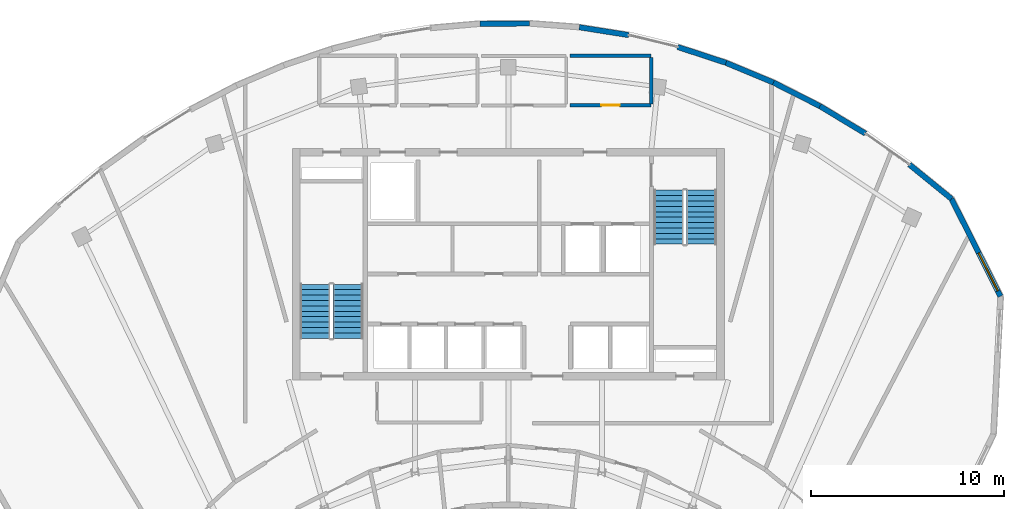
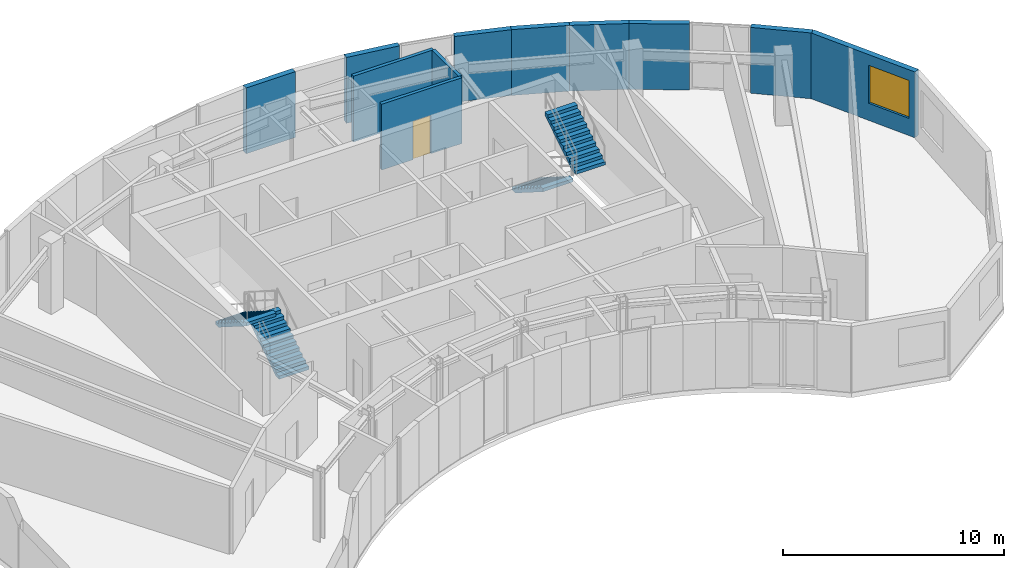
# One storey, part 8 of 9: 11 walls, 4 stair flights, 1 door, 1 window, 2 openings, 2 elements without a shape of their own.
"""IFC4 building model written with IfcOpenShell, lengths in metres."""

from ifc_helpers import new_model, si_unit, direction, frame, frame_2d, origin, place, context, subcontext, project, spatial, polyline, rectangle, outline, extrude, source, transform, mapped, material, layer, layer_set, type_object, type_shapes, element, fill, aggregate, save


model = new_model("IFC4")

# Units and contexts
model_context = context("Model", 3, precision=1e-05, world=origin(), true_north=direction((0.0, 1.0)))
body_context = subcontext(model_context, "Body", "Model", "MODEL_VIEW")
ifc_project = project(units=[si_unit("LENGTHUNIT", "METRE"), si_unit("AREAUNIT", "SQUARE_METRE"), si_unit("VOLUMEUNIT", "CUBIC_METRE"), si_unit("PLANEANGLEUNIT", "RADIAN"), si_unit("MASSUNIT", "GRAM", prefix="KILO")], contexts=[model_context])

# Site, building, storey
site_placement = place(None, origin())
site = spatial("IfcSite", under=ifc_project, at=site_placement, CompositionType="ELEMENT")
building_placement = place(site_placement, origin())
building = spatial("IfcBuilding", under=site, at=building_placement, Name="Breltana Convention Tower", CompositionType="ELEMENT")
storey_placement = place(building_placement, frame((0.0, 0.0, 279.60009765625)))
storey = spatial("IfcBuildingStorey", under=building, at=storey_placement, Name="L68", CompositionType="ELEMENT", Elevation=279.60009765625)

# Wall, opening, window
ifc_material_1 = material(Name="Limestone Buff Insulated Wall", Category="masonry")
ifc_layer_1 = layer(ifc_material_1, 0.280029296875, Name="Limestone Buff Insulated Wall")
ifc_layer_set_1 = layer_set([ifc_layer_1], Name="Limestone Buff Insulated Wall")
wall_type_1 = type_object("IfcWallType", Name="WL-EXT-NOSE-280", PredefinedType="SOLIDWALL", material=ifc_layer_set_1)
shared_shape_1 = source(origin(), body_context, "Body", "SweptSolid", [
    extrude(rectangle(XDim=5.6533203125, YDim=0.280029296875, at=frame_2d((2.82666015625, 0.0))), origin(), (0.0, 0.0, 1.0), 3.639892578125),
])
wall_1_placement = place(storey_placement, frame((70.976318359375, 69.5908203125, 0.0), z_axis=(0.0, 0.0, 1.0), x_axis=(0.449302555419, -0.893379658205, 0.0)))
wall_1 = element("IfcWall", 1, at=wall_1_placement, inside=storey, type_object=wall_type_1, Name="L68 curved limestone nose wall E1", PredefinedType="SOLIDWALL", context=body_context, shape_type="MappedRepresentation", body=[
    mapped(shared_shape_1, transform((0.0, 0.0, 0.0), scale=1.0)),
])
opening_1_placement = place(wall_1_placement, frame((3.139892578125, 0.0, 0.949951171875)))
opening_1 = element("IfcOpeningElement", 2, at=opening_1_placement, cuts=wall_1, Name="Opening W-03", PredefinedType="OPENING", context=body_context, shape_type="SweptSolid", body=[
    extrude(rectangle(XDim=2.199951171875, YDim=2.10009765625, at=frame_2d((1.10009765625, 1.050048828125))), frame((0.0, 0.14990234375, 0.0), z_axis=(0.0, -1.0, 0.0), x_axis=(1.0, 0.0, 0.0)), (0.0, 0.0, 1.0), 0.300048828125),
])
ifc_material_2 = material(Name="Glass Low-E Insulated Window", Category="glass")
window_type = type_object("IfcWindowType", Name="WN-NOSE-2200X2100", PartitioningType="TRIPLE_PANEL_VERTICAL", PredefinedType="WINDOW", material=ifc_material_2)
shared_shape_2 = source(origin(), body_context, "Body", "SweptSolid", [
    extrude(rectangle(XDim=2.199951171875, YDim=2.10009765625, at=frame_2d((1.10009765625, 1.050048828125))), frame((0.0, 0.030029296875, 0.0), z_axis=(0.0, -1.0, 0.0), x_axis=(1.0, 0.0, 0.0)), (0.0, 0.0, 1.0), 0.06005859375),
])
type_shapes(window_type, [shared_shape_2])
window_placement = place(opening_1_placement, origin())
window = element("IfcWindow", 3, at=window_placement, inside=storey, type_object=window_type, Name="L68 nose window E1", OverallHeight=2.10009765625, OverallWidth=2.199951171875, PartitioningType="TRIPLE_PANEL_VERTICAL", PredefinedType="WINDOW", context=body_context, shape_type="MappedRepresentation", body=[
    mapped(shared_shape_2, transform((0.0, 0.0, 0.0), scale=1.0)),
])
fill(opening_1, window)

# Walls
shared_shape_3 = source(origin(), body_context, "Body", "SweptSolid", [
    extrude(rectangle(XDim=2.578125, YDim=0.280029296875, at=frame_2d((1.2890625, 0.0))), origin(), (0.0, 0.0, 1.0), 3.639892578125),
])
wall_2_placement = place(storey_placement, frame((46.52685546875, 78.668212890625, 0.0), z_axis=(0.0, 0.0, 1.0), x_axis=(0.999982204439, 0.005965802924, 0.0)))
element("IfcWall", 4, at=wall_2_placement, inside=storey, type_object=wall_type_1, Name="L68 curved limestone nose wall E26", PredefinedType="SOLIDWALL", context=body_context, shape_type="MappedRepresentation", body=[
    mapped(shared_shape_3, transform((0.0, 0.0, 0.0), scale=1.0)),
])
shared_shape_4 = source(origin(), body_context, "Body", "SweptSolid", [
    extrude(rectangle(XDim=2.592529296875, YDim=0.280029296875, at=frame_2d((1.29638671875, 0.0))), origin(), (0.0, 0.0, 1.0), 3.639892578125),
])
wall_3_placement = place(storey_placement, frame((51.6787109375, 78.487548828125, 0.0), z_axis=(0.0, 0.0, 1.0), x_axis=(0.987661204406, -0.156605700126, 0.0)))
element("IfcWall", 5, at=wall_3_placement, inside=storey, type_object=wall_type_1, Name="L68 curved limestone nose wall E28", PredefinedType="SOLIDWALL", context=body_context, shape_type="MappedRepresentation", body=[
    mapped(shared_shape_4, transform((0.0, 0.0, 0.0), scale=1.0)),
])
shared_shape_5 = source(origin(), body_context, "Body", "SweptSolid", [
    extrude(rectangle(XDim=2.63623046875, YDim=0.280029296875, at=frame_2d((1.318115234375, 0.0))), origin(), (0.0, 0.0, 1.0), 3.639892578125),
])
wall_4_placement = place(storey_placement, frame((56.776611328125, 77.466796875, 0.0), z_axis=(0.0, 0.0, 1.0), x_axis=(0.950200321617, -0.311639774097, 0.0)))
element("IfcWall", 6, at=wall_4_placement, inside=storey, type_object=wall_type_1, Name="L68 curved limestone nose wall E29", PredefinedType="SOLIDWALL", context=body_context, shape_type="MappedRepresentation", body=[
    mapped(shared_shape_5, transform((0.0, 0.0, 0.0), scale=1.0)),
])
shared_shape_6 = source(origin(), body_context, "Body", "SweptSolid", [
    extrude(rectangle(XDim=2.668212890625, YDim=0.280029296875, at=frame_2d((1.333984375, 0.0))), origin(), (0.0, 0.0, 1.0), 3.639892578125),
])
wall_5_placement = place(storey_placement, frame((59.281494140625, 76.645263671875, 0.0), z_axis=(0.0, 0.0, 1.0), x_axis=(0.923290633029, -0.384102078828, 0.0)))
element("IfcWall", 7, at=wall_5_placement, inside=storey, type_object=wall_type_1, Name="L68 curved limestone nose wall E30", PredefinedType="SOLIDWALL", context=body_context, shape_type="MappedRepresentation", body=[
    mapped(shared_shape_6, transform((0.0, 0.0, 0.0), scale=1.0)),
])
shared_shape_7 = source(origin(), body_context, "Body", "SweptSolid", [
    extrude(rectangle(XDim=2.70556640625, YDim=0.280029296875, at=frame_2d((1.352783203125, 0.0))), origin(), (0.0, 0.0, 1.0), 3.639892578125),
])
wall_6_placement = place(storey_placement, frame((61.7451171875, 75.620361328125, 0.0), z_axis=(0.0, 0.0, 1.0), x_axis=(0.891648836287, -0.452727680564, 0.0)))
element("IfcWall", 8, at=wall_6_placement, inside=storey, type_object=wall_type_1, Name="L68 curved limestone nose wall E31", PredefinedType="SOLIDWALL", context=body_context, shape_type="MappedRepresentation", body=[
    mapped(shared_shape_7, transform((0.0, 0.0, 0.0), scale=1.0)),
])
shared_shape_8 = source(origin(), body_context, "Body", "SweptSolid", [
    extrude(rectangle(XDim=2.748291015625, YDim=0.280029296875, at=frame_2d((1.3740234375, 0.0))), origin(), (0.0, 0.0, 1.0), 3.639892578125),
])
wall_7_placement = place(storey_placement, frame((64.157470703125, 74.3955078125, 0.0), z_axis=(0.0, 0.0, 1.0), x_axis=(0.856149718453, -0.516727838996, 0.0)))
element("IfcWall", 9, at=wall_7_placement, inside=storey, type_object=wall_type_1, Name="L68 curved limestone nose wall E32", PredefinedType="SOLIDWALL", context=body_context, shape_type="MappedRepresentation", body=[
    mapped(shared_shape_8, transform((0.0, 0.0, 0.0), scale=1.0)),
])
shared_shape_9 = source(origin(), body_context, "Body", "SweptSolid", [
    extrude(rectangle(XDim=2.811767578125, YDim=0.280029296875, at=frame_2d((1.40576171875, 0.0))), origin(), (0.0, 0.0, 1.0), 3.639892578125),
])
wall_8_placement = place(storey_placement, frame((68.794677734375, 71.36474609375, 0.0), z_axis=(0.0, 0.0, 1.0), x_axis=(0.775880230716, -0.630880232361, 0.0)))
element("IfcWall", 10, at=wall_8_placement, inside=storey, type_object=wall_type_1, Name="L68 curved limestone nose wall E33", PredefinedType="SOLIDWALL", context=body_context, shape_type="MappedRepresentation", body=[
    mapped(shared_shape_9, transform((0.0, 0.0, 0.0), scale=1.0)),
])
ifc_material_3 = material(Name="Cement Board Wet-Area Partition")
ifc_layer_2 = layer(ifc_material_3, 0.175048828125, Name="Cement Board Wet-Area Partition")
ifc_layer_set_2 = layer_set([ifc_layer_2], Name="Cement Board Wet-Area Partition")
wall_type_2 = type_object("IfcWallType", Name="WL-WET-175", PredefinedType="PARTITIONING", material=ifc_layer_set_2)
shared_shape_10 = source(origin(), body_context, "Body", "SweptSolid", [
    extrude(rectangle(XDim=2.402587890625, YDim=0.175048828125, at=frame_2d((1.201171875, 0.0))), origin(), (0.0, 0.0, 1.0), 3.639892578125),
])
wall_9_placement = place(storey_placement, frame((55.39990234375, 74.518798828125, 0.0), z_axis=(0.0, 0.0, 1.0), x_axis=(0.0, 1.0, 0.0)))
element("IfcWall", 11, at=wall_9_placement, inside=storey, type_object=wall_type_2, Name="L68 interior partition W-L68-WCA-E", PredefinedType="PARTITIONING", context=body_context, shape_type="MappedRepresentation", body=[
    mapped(shared_shape_10, transform((0.0, 0.0, 0.0), scale=1.0)),
])

# Wall, opening, door
shared_shape_11 = source(origin(), body_context, "Body", "SweptSolid", [
    extrude(rectangle(XDim=4.199951171875, YDim=0.175048828125, at=frame_2d((2.10009765625, 0.0))), origin(), (0.0, 0.0, 1.0), 3.639892578125),
])
wall_10_placement = place(storey_placement, frame((51.199951171875, 74.43994140625, 0.0), z_axis=(0.0, 0.0, 1.0), x_axis=(1.0, 0.0, 0.0)))
wall_10 = element("IfcWall", 12, at=wall_10_placement, inside=storey, type_object=wall_type_2, Name="L68 interior partition W-L68-WCA-S", PredefinedType="PARTITIONING", context=body_context, shape_type="MappedRepresentation", body=[
    mapped(shared_shape_11, transform((0.0, 0.0, 0.0), scale=1.0)),
])
opening_2_placement = place(wall_10_placement, frame((1.625, 0.0, 0.0)))
opening_2 = element("IfcOpeningElement", 13, at=opening_2_placement, cuts=wall_10, Name="Opening D-16", PredefinedType="OPENING", context=body_context, shape_type="SweptSolid", body=[
    extrude(rectangle(XDim=0.949951171875, YDim=2.1201171875, at=frame_2d((0.47509765625, 1.06005859375))), frame((0.0, 0.09765625, 0.0), z_axis=(0.0, -1.0, 0.0), x_axis=(1.0, 0.0, 0.0)), (0.0, 0.0, 1.0), 0.195068359375),
])
ifc_material_4 = material(Name="Timber Laminate Accessible Door", Category="wood")
door_type = type_object("IfcDoorType", Name="DR-ACC-950", OperationType="NOTDEFINED", PredefinedType="DOOR", material=ifc_material_4)
shared_shape_12 = source(origin(), body_context, "Body", "SweptSolid", [
    extrude(rectangle(XDim=0.949951171875, YDim=2.1201171875, at=frame_2d((0.47509765625, 1.06005859375))), frame((0.0, 0.02490234375, 0.0), z_axis=(0.0, -1.0, 0.0), x_axis=(1.0, 0.0, 0.0)), (0.0, 0.0, 1.0), 0.050048828125),
])
type_shapes(door_type, [shared_shape_12])
door_placement = place(opening_2_placement, origin())
door = element("IfcDoor", 14, at=door_placement, inside=storey, type_object=door_type, Name="L68 interior door D-L68-WCA", OperationType="SINGLE_SWING_LEFT", OverallHeight=2.1201171875, OverallWidth=0.949951171875, PredefinedType="DOOR", context=body_context, shape_type="MappedRepresentation", body=[
    mapped(shared_shape_12, transform((0.0, 0.0, 0.0), scale=1.0)),
])
fill(opening_2, door)

# Wall
ifc_material_5 = material(Name="Moisture-Resistant Gypsum Chase Wall")
ifc_layer_3 = layer(ifc_material_5, 0.179931640625, Name="Moisture-Resistant Gypsum Chase Wall")
ifc_layer_set_3 = layer_set([ifc_layer_3], Name="Moisture-Resistant Gypsum Chase Wall")
wall_type_3 = type_object("IfcWallType", Name="WL-PLUMB-180", PredefinedType="PLUMBINGWALL", material=ifc_layer_set_3)
shared_shape_13 = source(origin(), body_context, "Body", "SweptSolid", [
    extrude(rectangle(XDim=4.199951171875, YDim=0.179931640625, at=frame_2d((2.10009765625, 0.0))), origin(), (0.0, 0.0, 1.0), 3.639892578125),
])
wall_11_placement = place(storey_placement, frame((51.199951171875, 77.0, 0.0), z_axis=(0.0, 0.0, 1.0), x_axis=(1.0, 0.0, 0.0)))
element("IfcWall", 15, at=wall_11_placement, inside=storey, type_object=wall_type_3, Name="L68 interior partition W-L68-WCA-N", PredefinedType="PLUMBINGWALL", context=body_context, shape_type="MappedRepresentation", body=[
    mapped(shared_shape_13, transform((0.0, 0.0, 0.0), scale=1.0)),
])

# Stair, stair flights
ifc_material_6 = material(Name="Concrete C40/50", Category="concrete")
stair_type = type_object("IfcStairType", Name="ST-DOG-1560-R177", PredefinedType="HALF_TURN_STAIR", material=ifc_material_6)
stair_1_placement = place(storey_placement, origin())
stair_1 = element("IfcStair", 16, at=stair_1_placement, inside=storey, type_object=stair_type, Name="L68 Protected Core Exit Stair ST-1", PredefinedType="HALF_TURN_STAIR")
stair_flight_type = type_object("IfcStairFlightType", Name="STF-DOG-1560-N11-R177", PredefinedType="STRAIGHT", material=ifc_material_6)
stair_flight_1_placement = place(storey_placement, frame((39.68994140625, 62.360107421875, 0.0), z_axis=(0.0, 0.0, 1.0), x_axis=(0.0, 1.0, 0.0)))
stair_flight_1 = element("IfcStairFlight", 17, at=stair_flight_1_placement, type_object=stair_flight_type, Name="ST-1 flight 1", NumberOfRisers=11, NumberOfTreads=10, PredefinedType="STRAIGHT", RiserHeight=0.177272727, TreadLength=0.28, context=body_context, shape_type="SweptSolid", body=[
    extrude(outline(polyline([(0.0, 0.0), (0.0, 0.17724609375), (0.280029296875, 0.17724609375), (0.280029296875, 0.3544921875), (0.56005859375, 0.3544921875), (0.56005859375, 0.53173828125), (0.840087890625, 0.53173828125), (0.840087890625, 0.708984375), (1.1201171875, 0.708984375), (1.1201171875, 0.886474609375), (1.39990234375, 0.886474609375), (1.39990234375, 1.063720703125), (1.679931640625, 1.063720703125), (1.679931640625, 1.240966796875), (1.9599609375, 1.240966796875), (1.9599609375, 1.418212890625), (2.239990234375, 1.418212890625), (2.239990234375, 1.595458984375), (2.52001953125, 1.595458984375), (2.52001953125, 1.772705078125), (2.800048828125, 1.772705078125), (2.800048828125, 1.949951171875), (2.800048828125, 1.59521484375), (0.2802734375, 0.0), (0.0, 0.0)])), frame((0.0, 0.780029296875, 0.0), z_axis=(0.0, -1.0, 0.0), x_axis=(1.0, 0.0, 0.0)), (0.0, 0.0, 1.0), 1.56005859375),
])
stair_flight_2_placement = place(storey_placement, frame((37.97998046875, 65.159912109375, 1.949951171875), z_axis=(0.0, 0.0, 1.0), x_axis=(0.0, -1.0, 0.0)))
stair_flight_2 = element("IfcStairFlight", 18, at=stair_flight_2_placement, type_object=stair_flight_type, Name="ST-1 flight 2", NumberOfRisers=11, NumberOfTreads=10, PredefinedType="STRAIGHT", RiserHeight=0.177272727, TreadLength=0.28, context=body_context, shape_type="SweptSolid", body=[
    extrude(outline(polyline([(0.0, 0.0), (0.0, 0.17724609375), (0.280029296875, 0.17724609375), (0.280029296875, 0.3544921875), (0.56005859375, 0.3544921875), (0.56005859375, 0.53173828125), (0.840087890625, 0.53173828125), (0.840087890625, 0.708984375), (1.1201171875, 0.708984375), (1.1201171875, 0.886474609375), (1.39990234375, 0.886474609375), (1.39990234375, 1.063720703125), (1.679931640625, 1.063720703125), (1.679931640625, 1.240966796875), (1.9599609375, 1.240966796875), (1.9599609375, 1.418212890625), (2.239990234375, 1.418212890625), (2.239990234375, 1.595458984375), (2.52001953125, 1.595458984375), (2.52001953125, 1.772705078125), (2.800048828125, 1.772705078125), (2.800048828125, 1.949951171875), (2.800048828125, 1.59521484375), (0.2802734375, 0.0), (0.0, 0.0)])), frame((0.0, 0.780029296875, 0.0), z_axis=(0.0, -1.0, 0.0), x_axis=(1.0, 0.0, 0.0)), (0.0, 0.0, 1.0), 1.56005859375),
])
aggregate(stair_1, [stair_flight_1, stair_flight_2])

stair_2_placement = place(storey_placement, origin())
stair_2 = element("IfcStair", 19, at=stair_2_placement, inside=storey, type_object=stair_type, Name="L68 Protected Core Exit Stair ST-2", PredefinedType="HALF_TURN_STAIR")
stair_flight_3_placement = place(storey_placement, frame((56.31005859375, 70.0400390625, 0.0), z_axis=(0.0, 0.0, 1.0), x_axis=(0.0, -1.0, 0.0)))
stair_flight_3 = element("IfcStairFlight", 20, at=stair_flight_3_placement, type_object=stair_flight_type, Name="ST-2 flight 1", NumberOfRisers=11, NumberOfTreads=10, PredefinedType="STRAIGHT", RiserHeight=0.177272727, TreadLength=0.28, context=body_context, shape_type="SweptSolid", body=[
    extrude(outline(polyline([(0.0, 0.0), (0.0, 0.17724609375), (0.280029296875, 0.17724609375), (0.280029296875, 0.3544921875), (0.56005859375, 0.3544921875), (0.56005859375, 0.53173828125), (0.840087890625, 0.53173828125), (0.840087890625, 0.708984375), (1.1201171875, 0.708984375), (1.1201171875, 0.886474609375), (1.39990234375, 0.886474609375), (1.39990234375, 1.063720703125), (1.679931640625, 1.063720703125), (1.679931640625, 1.240966796875), (1.9599609375, 1.240966796875), (1.9599609375, 1.418212890625), (2.239990234375, 1.418212890625), (2.239990234375, 1.595458984375), (2.52001953125, 1.595458984375), (2.52001953125, 1.772705078125), (2.800048828125, 1.772705078125), (2.800048828125, 1.949951171875), (2.800048828125, 1.59521484375), (0.2802734375, 0.0), (0.0, 0.0)])), frame((0.0, 0.780029296875, 0.0), z_axis=(0.0, -1.0, 0.0), x_axis=(1.0, 0.0, 0.0)), (0.0, 0.0, 1.0), 1.56005859375),
])
stair_flight_4_placement = place(storey_placement, frame((58.02001953125, 67.239990234375, 1.949951171875), z_axis=(0.0, 0.0, 1.0), x_axis=(0.0, 1.0, 0.0)))
stair_flight_4 = element("IfcStairFlight", 21, at=stair_flight_4_placement, type_object=stair_flight_type, Name="ST-2 flight 2", NumberOfRisers=11, NumberOfTreads=10, PredefinedType="STRAIGHT", RiserHeight=0.177272727, TreadLength=0.28, context=body_context, shape_type="SweptSolid", body=[
    extrude(outline(polyline([(0.0, 0.0), (0.0, 0.17724609375), (0.280029296875, 0.17724609375), (0.280029296875, 0.3544921875), (0.56005859375, 0.3544921875), (0.56005859375, 0.53173828125), (0.840087890625, 0.53173828125), (0.840087890625, 0.708984375), (1.1201171875, 0.708984375), (1.1201171875, 0.886474609375), (1.39990234375, 0.886474609375), (1.39990234375, 1.063720703125), (1.679931640625, 1.063720703125), (1.679931640625, 1.240966796875), (1.9599609375, 1.240966796875), (1.9599609375, 1.418212890625), (2.239990234375, 1.418212890625), (2.239990234375, 1.595458984375), (2.52001953125, 1.595458984375), (2.52001953125, 1.772705078125), (2.800048828125, 1.772705078125), (2.800048828125, 1.949951171875), (2.800048828125, 1.59521484375), (0.2802734375, 0.0), (0.0, 0.0)])), frame((0.0, 0.780029296875, 0.0), z_axis=(0.0, -1.0, 0.0), x_axis=(1.0, 0.0, 0.0)), (0.0, 0.0, 1.0), 1.56005859375),
])
aggregate(stair_2, [stair_flight_3, stair_flight_4])

save(model, "model.ifc")
